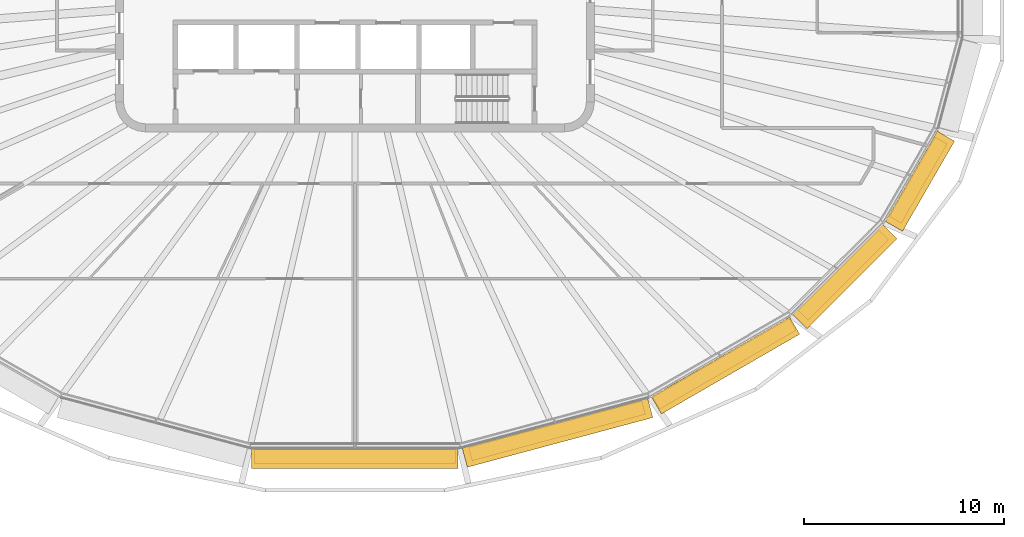
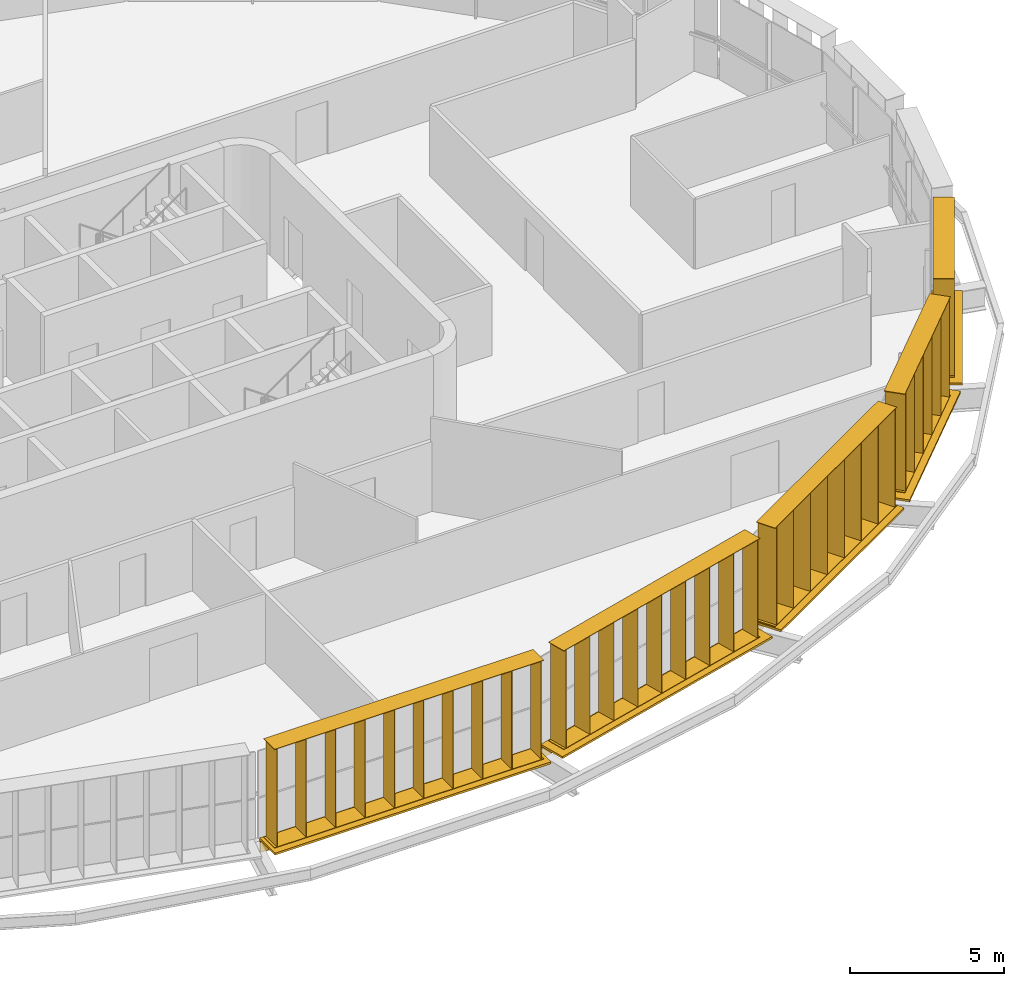
# One storey, part 17 of 19: 10 shading devices.
"""IFC4 building model written with IfcOpenShell, lengths in metres."""

import ifcopenshell
import ifcopenshell.guid

model = None  # the IFC model being written
_history = None  # IfcOwnerHistory: only IFC2X3 demands one
_inside = {}  # id of a spatial element -> (the spatial element, [elements in it])
_under = {}  # id of a project, library or spatial element -> (it, [spatial elements below it])
_declared = {}  # id of a project -> (the project, [libraries it declares])
_typed = {}  # id of a type object -> (the type object, [elements of that type])
_made_of = {}  # id of a material, layer set ... -> (it, [elements and type objects made of it])


def new_model(schema):
    """Start an empty IFC model of exactly this schema.

    Asked for "IFC4X3", IfcOpenShell would pick the latest addendum, in which some entities
    have other attributes; the version numbers below select the first issue.
    IFC2X3 requires an IfcOwnerHistory on every rooted entity: one is made here for all.
    """
    global model, _history
    if schema == "IFC4X3":
        model = ifcopenshell.file(schema_version=(4, 3, 0, 0))
    else:
        model = ifcopenshell.file(schema=schema)
    _inside.clear()
    _under.clear()
    _declared.clear()
    _typed.clear()
    _made_of.clear()
    _history = None
    if model.schema == "IFC2X3":
        org = make("IfcOrganization", Name="unknown")
        user = make(
            "IfcPersonAndOrganization",
            ThePerson=make("IfcPerson", FamilyName="unknown"),
            TheOrganization=org,
        )
        app = make(
            "IfcApplication",
            ApplicationDeveloper=org,
            Version="unknown",
            ApplicationFullName="unknown",
            ApplicationIdentifier="unknown",
        )
        _history = make(
            "IfcOwnerHistory",
            OwningUser=user,
            OwningApplication=app,
            ChangeAction="ADDED",
            CreationDate=0,
        )
    return model


def make(cls, **values):
    """One entity of the class cls with the attributes given. An attribute that is None is left unset."""
    return model.create_entity(
        cls, **{name: value for name, value in values.items() if value is not None}
    )


def rooted(cls, **values):
    """An entity with a GlobalId (a new one), such as an element, a storey or a relation."""
    return make(cls, GlobalId=ifcopenshell.guid.new(), OwnerHistory=_history, **values)


def si_unit(unit_type, name, prefix=None):
    """IfcSIUnit, for example si_unit("LENGTHUNIT", "METRE", prefix="MILLI")."""
    return make("IfcSIUnit", UnitType=unit_type, Prefix=prefix, Name=name)


def assignment(units):
    """IfcUnitAssignment: the units of a project."""
    return None if units is None else make("IfcUnitAssignment", Units=units)


def point(xyz):
    """IfcCartesianPoint."""
    return None if xyz is None else make("IfcCartesianPoint", Coordinates=xyz)


def direction(xyz):
    """IfcDirection."""
    return None if xyz is None else make("IfcDirection", DirectionRatios=xyz)


def frame(location, z_axis=None, x_axis=None):
    """IfcAxis2Placement3D, a coordinate frame: its origin and axes. An axis left out is left unset."""
    return make(
        "IfcAxis2Placement3D",
        Location=point(location),
        Axis=direction(z_axis),
        RefDirection=direction(x_axis),
    )


def frame_2d(location, x_axis=None):
    """IfcAxis2Placement2D, a coordinate frame in the plane: its origin and x axis."""
    return make(
        "IfcAxis2Placement2D", Location=point(location), RefDirection=direction(x_axis)
    )


def origin():
    """The frame at (0, 0, 0) with its axes left unset."""
    return frame((0.0, 0.0, 0.0))


def origin_2d():
    """The frame at (0, 0) in the plane with its x axis left unset."""
    return frame_2d((0.0, 0.0))


def place(relative_to, where):
    """IfcLocalPlacement: puts the frame where relative to a parent placement (None: the world)."""
    return make(
        "IfcLocalPlacement", PlacementRelTo=relative_to, RelativePlacement=where
    )


def context(
    kind, dimensions, precision=None, world=None, true_north=None, identifier=None
):
    """IfcGeometricRepresentationContext, for example the 3D "Model" context."""
    return make(
        "IfcGeometricRepresentationContext",
        ContextIdentifier=identifier,
        ContextType=kind,
        CoordinateSpaceDimension=dimensions,
        Precision=precision,
        WorldCoordinateSystem=world,
        TrueNorth=true_north,
    )


def subcontext(parent, identifier, kind, view, scale=None):
    """IfcGeometricRepresentationSubContext, for example "Body" below "Model"."""
    return make(
        "IfcGeometricRepresentationSubContext",
        ContextIdentifier=identifier,
        ContextType=kind,
        ParentContext=parent,
        TargetScale=scale,
        TargetView=view,
    )


def project(units=None, contexts=None):
    """IfcProject with its units and contexts."""
    return rooted(
        "IfcProject",
        Name="project",
        RepresentationContexts=contexts,
        UnitsInContext=assignment(units),
    )


def spatial(cls, under=None, at=None, **own):
    """A site, building, storey or space (cls), placed at a placement, below another one or the project."""
    s = rooted(cls, ObjectPlacement=at, **own)
    if under is not None:
        _under.setdefault(under.id(), (under, []))[1].append(s)
    return s


def profile(cls, at=None, kind="AREA", **sizes):
    """A parametric profile (cls). Its sizes go by their IFC names, for example OverallWidth=200.0."""
    return make(cls, ProfileType=kind, Position=at, **sizes)


def rectangle(**sizes):
    """IfcRectangleProfileDef."""
    return profile("IfcRectangleProfileDef", **sizes)


def extrude(swept, where, along, depth):
    """IfcExtrudedAreaSolid: the profile swept, set in the frame where, extruded along a direction by depth."""
    return make(
        "IfcExtrudedAreaSolid",
        SweptArea=swept,
        Position=where,
        ExtrudedDirection=direction(along),
        Depth=depth,
    )


def shape(context_of_items, identifier, shape_type, items):
    """IfcShapeRepresentation: the items that make up one representation, for example the "Body"."""
    return make(
        "IfcShapeRepresentation",
        ContextOfItems=context_of_items,
        RepresentationIdentifier=identifier,
        RepresentationType=shape_type,
        Items=items,
    )


def material(Name=None, Category=None):
    """IfcMaterial."""
    return make("IfcMaterial", Name=Name, Category=Category)


def made_of(thing, what):
    """Note that an element or type object is made of a material, layer set ...; save() writes the relation."""
    if what is not None:
        _made_of.setdefault(what.id(), (what, []))[1].append(thing)
    return thing


def type_object(cls, material=None, **own):
    """A type object (cls), such as IfcWallType, which elements share."""
    return made_of(rooted(cls, **own), material)


def element(
    cls,
    number,
    at=None,
    inside=None,
    cuts=None,
    type_object=None,
    material=None,
    context=None,
    identifier="Body",
    shape_type=None,
    held_by="IfcProductDefinitionShape",
    body=None,
    shapes=None,
    **own,
):
    """One element of the class cls, such as IfcWall. Its Tag is "e" and its number.

    at: its placement. inside: the storey or other place that contains it. cuts: it is an
    opening in that element (IfcRelVoidsElement). A single representation is given by context,
    identifier, shape_type and body (its items); several are given by shapes. held_by: the class
    of the entity that holds the representations. save() writes the other relations.
    """
    e = rooted(cls, Tag="e%d" % number, ObjectPlacement=at, **own)
    if body is not None:
        shapes = [shape(context, identifier, shape_type, body)]
    if shapes is not None:
        e.Representation = make(held_by, Representations=shapes)
    if inside is not None:
        _inside.setdefault(inside.id(), (inside, []))[1].append(e)
    if cuts is not None:
        rooted(
            "IfcRelVoidsElement", RelatingBuildingElement=cuts, RelatedOpeningElement=e
        )
    if type_object is not None:
        _typed.setdefault(type_object.id(), (type_object, []))[1].append(e)
    return made_of(e, material)


def aggregate(whole, parts):
    """IfcRelAggregates: a whole, such as a stair, and the parts it consists of."""
    return rooted("IfcRelAggregates", RelatingObject=whole, RelatedObjects=parts)


def save(model, path):
    """Write the relations noted so far, then the file.

    IfcRelAggregates (storeys below a building ...), IfcRelContainedInSpatialStructure (elements
    in a storey), IfcRelDefinesByType, IfcRelAssociatesMaterial and IfcRelDeclares: one each for
    every whole, place, type object, material and project.
    """
    for whole, parts in _under.values():
        aggregate(whole, parts)
    for where, things in _inside.values():
        rooted(
            "IfcRelContainedInSpatialStructure",
            RelatedElements=things,
            RelatingStructure=where,
        )
    for kind, things in _typed.values():
        rooted("IfcRelDefinesByType", RelatedObjects=things, RelatingType=kind)
    for what, things in _made_of.values():
        rooted("IfcRelAssociatesMaterial", RelatedObjects=things, RelatingMaterial=what)
    for by, libraries in _declared.values():
        rooted("IfcRelDeclares", RelatingContext=by, RelatedDefinitions=libraries)
    model.write(path)


model = new_model("IFC4")

# Units and contexts
model_context = context("Model", 3, precision=1e-05, world=origin(), true_north=direction((0.0, 1.0)))
body_context = subcontext(model_context, "Body", "Model", "MODEL_VIEW")
ifc_project = project(units=[si_unit("LENGTHUNIT", "METRE"), si_unit("AREAUNIT", "SQUARE_METRE"), si_unit("VOLUMEUNIT", "CUBIC_METRE"), si_unit("PLANEANGLEUNIT", "RADIAN"), si_unit("MASSUNIT", "GRAM", prefix="KILO")], contexts=[model_context])

# Site, building, storey
site_placement = place(None, origin())
site = spatial("IfcSite", under=ifc_project, at=site_placement, CompositionType="ELEMENT")
building_placement = place(site_placement, origin())
building = spatial("IfcBuilding", under=site, at=building_placement, Name="Sahrelin Media Tower", CompositionType="ELEMENT")
storey_placement = place(building_placement, frame((0.0, 0.0, 241.60009765625)))
storey = spatial("IfcBuildingStorey", under=building, at=storey_placement, Name="L52", CompositionType="ELEMENT", Elevation=241.60009765625)

# Shading devices
ifc_material = material(Name="Champagne anodised aluminium 6063-T6", Category="aluminium")
shading_device_type_1 = type_object("IfcShadingDeviceType", Name="Fin cassette", PredefinedType="USERDEFINED", material=ifc_material)
placement_1 = place(storey_placement, frame((0.0, -22.85009765625, 0.0), z_axis=(0.0, 0.0, 1.0), x_axis=(-1.0, 0.0, 0.0)))
element("IfcShadingDevice", 1, at=placement_1, inside=storey, type_object=shading_device_type_1, Name="L52:FIN:L52-18", ObjectType="FIN", PredefinedType="USERDEFINED", context=body_context, shape_type="SweptSolid", body=[
    extrude(rectangle(XDim=10.10009765625, YDim=0.699951171875, at=origin_2d()), frame((0.0, 0.419921875, 0.0)), (0.0, 0.0, 1.0), 0.02001953125),
    extrude(rectangle(XDim=10.10009765625, YDim=0.699951171875, at=origin_2d()), frame((0.0, 0.419921875, 3.89990234375)), (0.0, 0.0, 1.0), 0.02001953125),
    extrude(rectangle(XDim=0.02001953125, YDim=0.699951171875, at=origin_2d()), frame((-4.949951171875, 0.419921875, 0.010009765625), z_axis=(0.0, 0.0, 1.0), x_axis=(1.0, 0.0, 0.0)), (0.0, 0.0, 1.0), 3.89990234375),
    extrude(rectangle(XDim=0.02001953125, YDim=0.699951171875, at=origin_2d()), frame((-3.85009765625, 0.419921875, 0.010009765625), z_axis=(0.0, 0.0, 1.0), x_axis=(1.0, 0.0, 0.0)), (0.0, 0.0, 1.0), 3.89990234375),
    extrude(rectangle(XDim=0.02001953125, YDim=0.699951171875, at=origin_2d()), frame((-2.75, 0.419921875, 0.010009765625), z_axis=(0.0, 0.0, 1.0), x_axis=(1.0, 0.0, 0.0)), (0.0, 0.0, 1.0), 3.89990234375),
    extrude(rectangle(XDim=0.02001953125, YDim=0.699951171875, at=origin_2d()), frame((-1.64990234375, 0.419921875, 0.010009765625), z_axis=(0.0, 0.0, 1.0), x_axis=(1.0, 0.0, 0.0)), (0.0, 0.0, 1.0), 3.89990234375),
    extrude(rectangle(XDim=0.02001953125, YDim=0.699951171875, at=origin_2d()), frame((-0.550048828125, 0.419921875, 0.010009765625), z_axis=(0.0, 0.0, 1.0), x_axis=(1.0, 0.0, 0.0)), (0.0, 0.0, 1.0), 3.89990234375),
    extrude(rectangle(XDim=0.02001953125, YDim=0.699951171875, at=origin_2d()), frame((0.550048828125, 0.419921875, 0.010009765625), z_axis=(0.0, 0.0, 1.0), x_axis=(1.0, 0.0, 0.0)), (0.0, 0.0, 1.0), 3.89990234375),
    extrude(rectangle(XDim=0.02001953125, YDim=0.699951171875, at=origin_2d()), frame((1.64990234375, 0.419921875, 0.010009765625), z_axis=(0.0, 0.0, 1.0), x_axis=(1.0, 0.0, 0.0)), (0.0, 0.0, 1.0), 3.89990234375),
    extrude(rectangle(XDim=0.02001953125, YDim=0.699951171875, at=origin_2d()), frame((2.75, 0.419921875, 0.010009765625), z_axis=(0.0, 0.0, 1.0), x_axis=(1.0, 0.0, 0.0)), (0.0, 0.0, 1.0), 3.89990234375),
    extrude(rectangle(XDim=0.02001953125, YDim=0.699951171875, at=origin_2d()), frame((3.85009765625, 0.419921875, 0.010009765625), z_axis=(0.0, 0.0, 1.0), x_axis=(1.0, 0.0, 0.0)), (0.0, 0.0, 1.0), 3.89990234375),
    extrude(rectangle(XDim=0.02001953125, YDim=0.699951171875, at=origin_2d()), frame((4.949951171875, 0.419921875, 0.010009765625), z_axis=(0.0, 0.0, 1.0), x_axis=(1.0, 0.0, 0.0)), (0.0, 0.0, 1.0), 3.89990234375),
])
placement_2 = place(storey_placement, frame((10.017578125, -21.578857421875, 0.0), z_axis=(0.0, 0.0, 1.0), x_axis=(-0.965928857556, -0.258807731996, 0.0)))
element("IfcShadingDevice", 2, at=placement_2, inside=storey, type_object=shading_device_type_1, Name="L52:FIN:L52-19", ObjectType="FIN", PredefinedType="USERDEFINED", context=body_context, shape_type="SweptSolid", body=[
    extrude(rectangle(XDim=9.0, YDim=0.699951171875, at=origin_2d()), frame((0.0, 0.419921875, 0.0)), (0.0, 0.0, 1.0), 0.02001953125),
    extrude(rectangle(XDim=9.0, YDim=0.699951171875, at=origin_2d()), frame((0.0, 0.419921875, 3.89990234375)), (0.0, 0.0, 1.0), 0.02001953125),
    extrude(rectangle(XDim=0.02001953125, YDim=0.699951171875, at=origin_2d()), frame((-4.39990234375, 0.419921875, 0.010009765625), z_axis=(0.0, 0.0, 1.0), x_axis=(1.0, 0.0, 0.0)), (0.0, 0.0, 1.0), 3.89990234375),
    extrude(rectangle(XDim=0.02001953125, YDim=0.699951171875, at=origin_2d()), frame((-3.300048828125, 0.419921875, 0.010009765625), z_axis=(0.0, 0.0, 1.0), x_axis=(1.0, 0.0, 0.0)), (0.0, 0.0, 1.0), 3.89990234375),
    extrude(rectangle(XDim=0.02001953125, YDim=0.699951171875, at=origin_2d()), frame((-2.199951171875, 0.419921875, 0.010009765625), z_axis=(0.0, 0.0, 1.0), x_axis=(1.0, 0.0, 0.0)), (0.0, 0.0, 1.0), 3.89990234375),
    extrude(rectangle(XDim=0.02001953125, YDim=0.699951171875, at=origin_2d()), frame((-1.10009765625, 0.419921875, 0.010009765625), z_axis=(0.0, 0.0, 1.0), x_axis=(1.0, 0.0, 0.0)), (0.0, 0.0, 1.0), 3.89990234375),
    extrude(rectangle(XDim=0.02001953125, YDim=0.699951171875, at=origin_2d()), frame((0.0, 0.419921875, 0.010009765625), z_axis=(0.0, 0.0, 1.0), x_axis=(1.0, 0.0, 0.0)), (0.0, 0.0, 1.0), 3.89990234375),
    extrude(rectangle(XDim=0.02001953125, YDim=0.699951171875, at=origin_2d()), frame((1.10009765625, 0.419921875, 0.010009765625), z_axis=(0.0, 0.0, 1.0), x_axis=(1.0, 0.0, 0.0)), (0.0, 0.0, 1.0), 3.89990234375),
    extrude(rectangle(XDim=0.02001953125, YDim=0.699951171875, at=origin_2d()), frame((2.199951171875, 0.419921875, 0.010009765625), z_axis=(0.0, 0.0, 1.0), x_axis=(1.0, 0.0, 0.0)), (0.0, 0.0, 1.0), 3.89990234375),
    extrude(rectangle(XDim=0.02001953125, YDim=0.699951171875, at=origin_2d()), frame((3.300048828125, 0.419921875, 0.010009765625), z_axis=(0.0, 0.0, 1.0), x_axis=(1.0, 0.0, 0.0)), (0.0, 0.0, 1.0), 3.89990234375),
    extrude(rectangle(XDim=0.02001953125, YDim=0.699951171875, at=origin_2d()), frame((4.39990234375, 0.419921875, 0.010009765625), z_axis=(0.0, 0.0, 1.0), x_axis=(1.0, 0.0, 0.0)), (0.0, 0.0, 1.0), 3.89990234375),
])
placement_3 = place(storey_placement, frame((18.3115234375, -18.258056640625, 0.0), z_axis=(0.0, 0.0, 1.0), x_axis=(-0.866019052629, -0.500011000363, 0.0)))
element("IfcShadingDevice", 3, at=placement_3, inside=storey, type_object=shading_device_type_1, Name="L52:FIN:L52-20", ObjectType="FIN", PredefinedType="USERDEFINED", context=body_context, shape_type="SweptSolid", body=[
    extrude(rectangle(XDim=7.89990234375, YDim=0.699951171875, at=origin_2d()), frame((0.0, 0.419921875, 0.0)), (0.0, 0.0, 1.0), 0.02001953125),
    extrude(rectangle(XDim=7.89990234375, YDim=0.699951171875, at=origin_2d()), frame((0.0, 0.419921875, 3.89990234375)), (0.0, 0.0, 1.0), 0.02001953125),
    extrude(rectangle(XDim=0.02001953125, YDim=0.699951171875, at=origin_2d()), frame((-3.85009765625, 0.419921875, 0.010009765625), z_axis=(0.0, 0.0, 1.0), x_axis=(1.0, 0.0, 0.0)), (0.0, 0.0, 1.0), 3.89990234375),
    extrude(rectangle(XDim=0.02001953125, YDim=0.699951171875, at=origin_2d()), frame((-2.75, 0.419921875, 0.010009765625), z_axis=(0.0, 0.0, 1.0), x_axis=(1.0, 0.0, 0.0)), (0.0, 0.0, 1.0), 3.89990234375),
    extrude(rectangle(XDim=0.02001953125, YDim=0.699951171875, at=origin_2d()), frame((-1.64990234375, 0.419921875, 0.010009765625), z_axis=(0.0, 0.0, 1.0), x_axis=(1.0, 0.0, 0.0)), (0.0, 0.0, 1.0), 3.89990234375),
    extrude(rectangle(XDim=0.02001953125, YDim=0.699951171875, at=origin_2d()), frame((-0.550048828125, 0.419921875, 0.010009765625), z_axis=(0.0, 0.0, 1.0), x_axis=(1.0, 0.0, 0.0)), (0.0, 0.0, 1.0), 3.89990234375),
    extrude(rectangle(XDim=0.02001953125, YDim=0.699951171875, at=origin_2d()), frame((0.550048828125, 0.419921875, 0.010009765625), z_axis=(0.0, 0.0, 1.0), x_axis=(1.0, 0.0, 0.0)), (0.0, 0.0, 1.0), 3.89990234375),
    extrude(rectangle(XDim=0.02001953125, YDim=0.699951171875, at=origin_2d()), frame((1.64990234375, 0.419921875, 0.010009765625), z_axis=(0.0, 0.0, 1.0), x_axis=(1.0, 0.0, 0.0)), (0.0, 0.0, 1.0), 3.89990234375),
    extrude(rectangle(XDim=0.02001953125, YDim=0.699951171875, at=origin_2d()), frame((2.75, 0.419921875, 0.010009765625), z_axis=(0.0, 0.0, 1.0), x_axis=(1.0, 0.0, 0.0)), (0.0, 0.0, 1.0), 3.89990234375),
    extrude(rectangle(XDim=0.02001953125, YDim=0.699951171875, at=origin_2d()), frame((3.85009765625, 0.419921875, 0.010009765625), z_axis=(0.0, 0.0, 1.0), x_axis=(1.0, 0.0, 0.0)), (0.0, 0.0, 1.0), 3.89990234375),
])
placement_4 = place(storey_placement, frame((24.1865234375, -13.88330078125, 0.0), z_axis=(0.0, 0.0, 1.0), x_axis=(-0.707106781187, -0.707106781187, 0.0)))
element("IfcShadingDevice", 4, at=placement_4, inside=storey, type_object=shading_device_type_1, Name="L52:FIN:L52-21", ObjectType="FIN", PredefinedType="USERDEFINED", context=body_context, shape_type="SweptSolid", body=[
    extrude(rectangle(XDim=5.699951171875, YDim=0.699951171875, at=origin_2d()), frame((0.0, 0.419921875, 0.0)), (0.0, 0.0, 1.0), 0.02001953125),
    extrude(rectangle(XDim=5.699951171875, YDim=0.699951171875, at=origin_2d()), frame((0.0, 0.419921875, 3.89990234375)), (0.0, 0.0, 1.0), 0.02001953125),
    extrude(rectangle(XDim=0.02001953125, YDim=0.699951171875, at=origin_2d()), frame((-2.75, 0.419921875, 0.010009765625), z_axis=(0.0, 0.0, 1.0), x_axis=(1.0, 0.0, 0.0)), (0.0, 0.0, 1.0), 3.89990234375),
    extrude(rectangle(XDim=0.02001953125, YDim=0.699951171875, at=origin_2d()), frame((-1.64990234375, 0.419921875, 0.010009765625), z_axis=(0.0, 0.0, 1.0), x_axis=(1.0, 0.0, 0.0)), (0.0, 0.0, 1.0), 3.89990234375),
    extrude(rectangle(XDim=0.02001953125, YDim=0.699951171875, at=origin_2d()), frame((-0.550048828125, 0.419921875, 0.010009765625), z_axis=(0.0, 0.0, 1.0), x_axis=(1.0, 0.0, 0.0)), (0.0, 0.0, 1.0), 3.89990234375),
    extrude(rectangle(XDim=0.02001953125, YDim=0.699951171875, at=origin_2d()), frame((0.550048828125, 0.419921875, 0.010009765625), z_axis=(0.0, 0.0, 1.0), x_axis=(1.0, 0.0, 0.0)), (0.0, 0.0, 1.0), 3.89990234375),
    extrude(rectangle(XDim=0.02001953125, YDim=0.699951171875, at=origin_2d()), frame((1.64990234375, 0.419921875, 0.010009765625), z_axis=(0.0, 0.0, 1.0), x_axis=(1.0, 0.0, 0.0)), (0.0, 0.0, 1.0), 3.89990234375),
    extrude(rectangle(XDim=0.02001953125, YDim=0.699951171875, at=origin_2d()), frame((2.75, 0.419921875, 0.010009765625), z_axis=(0.0, 0.0, 1.0), x_axis=(1.0, 0.0, 0.0)), (0.0, 0.0, 1.0), 3.89990234375),
])
placement_5 = place(storey_placement, frame((27.865234375, -9.214111328125, 0.0), z_axis=(0.0, 0.0, 1.0), x_axis=(-0.500011000363, -0.866019052629, 0.0)))
element("IfcShadingDevice", 5, at=placement_5, inside=storey, type_object=shading_device_type_1, Name="L52:FIN:L52-22", ObjectType="FIN", PredefinedType="USERDEFINED", context=body_context, shape_type="SweptSolid", body=[
    extrude(rectangle(XDim=4.60009765625, YDim=0.699951171875, at=origin_2d()), frame((0.0, 0.419921875, 0.0)), (0.0, 0.0, 1.0), 0.02001953125),
    extrude(rectangle(XDim=4.60009765625, YDim=0.699951171875, at=origin_2d()), frame((0.0, 0.419921875, 3.89990234375)), (0.0, 0.0, 1.0), 0.02001953125),
    extrude(rectangle(XDim=0.02001953125, YDim=0.699951171875, at=origin_2d()), frame((-2.199951171875, 0.419921875, 0.010009765625), z_axis=(0.0, 0.0, 1.0), x_axis=(1.0, 0.0, 0.0)), (0.0, 0.0, 1.0), 3.89990234375),
    extrude(rectangle(XDim=0.02001953125, YDim=0.699951171875, at=origin_2d()), frame((-1.10009765625, 0.419921875, 0.010009765625), z_axis=(0.0, 0.0, 1.0), x_axis=(1.0, 0.0, 0.0)), (0.0, 0.0, 1.0), 3.89990234375),
    extrude(rectangle(XDim=0.02001953125, YDim=0.699951171875, at=origin_2d()), frame((0.0, 0.419921875, 0.010009765625), z_axis=(0.0, 0.0, 1.0), x_axis=(1.0, 0.0, 0.0)), (0.0, 0.0, 1.0), 3.89990234375),
    extrude(rectangle(XDim=0.02001953125, YDim=0.699951171875, at=origin_2d()), frame((1.10009765625, 0.419921875, 0.010009765625), z_axis=(0.0, 0.0, 1.0), x_axis=(1.0, 0.0, 0.0)), (0.0, 0.0, 1.0), 3.89990234375),
    extrude(rectangle(XDim=0.02001953125, YDim=0.699951171875, at=origin_2d()), frame((2.199951171875, 0.419921875, 0.010009765625), z_axis=(0.0, 0.0, 1.0), x_axis=(1.0, 0.0, 0.0)), (0.0, 0.0, 1.0), 3.89990234375),
])
shading_device_type_2 = type_object("IfcShadingDeviceType", Name="Sunshade band", PredefinedType="USERDEFINED", material=ifc_material)
element("IfcShadingDevice", 6, at=placement_1, inside=storey, type_object=shading_device_type_2, Name="L52:SUN:L52-18", ObjectType="SUNSHADE", PredefinedType="USERDEFINED", context=body_context, shape_type="SweptSolid", body=[
    extrude(rectangle(XDim=10.3466796875, YDim=0.050048828125, at=origin_2d()), frame((0.0, 0.044921875, -0.55126953125)), (0.0, 0.0, 1.0), 0.471435546875),
    extrude(rectangle(XDim=10.3466796875, YDim=1.0, at=origin_2d()), frame((0.0, 0.52001953125, -0.080078125)), (0.0, 0.0, 1.0), 0.080078125),
    extrude(rectangle(XDim=0.10009765625, YDim=0.074951171875, at=origin_2d()), frame((-5.0732421875, -0.017578125, -0.47021484375)), (0.0, 0.0, 1.0), 0.300048828125),
    extrude(rectangle(XDim=0.10009765625, YDim=0.074951171875, at=origin_2d()), frame((-3.382080078125, -0.017578125, -0.47021484375)), (0.0, 0.0, 1.0), 0.300048828125),
    extrude(rectangle(XDim=0.10009765625, YDim=0.074951171875, at=origin_2d()), frame((-1.691162109375, -0.017578125, -0.47021484375)), (0.0, 0.0, 1.0), 0.300048828125),
    extrude(rectangle(XDim=0.10009765625, YDim=0.074951171875, at=origin_2d()), frame((0.0, -0.017578125, -0.47021484375)), (0.0, 0.0, 1.0), 0.300048828125),
    extrude(rectangle(XDim=0.10009765625, YDim=0.074951171875, at=origin_2d()), frame((1.691162109375, -0.017578125, -0.47021484375)), (0.0, 0.0, 1.0), 0.300048828125),
    extrude(rectangle(XDim=0.10009765625, YDim=0.074951171875, at=origin_2d()), frame((3.382080078125, -0.017578125, -0.47021484375)), (0.0, 0.0, 1.0), 0.300048828125),
    extrude(rectangle(XDim=0.10009765625, YDim=0.074951171875, at=origin_2d()), frame((5.0732421875, -0.017578125, -0.47021484375)), (0.0, 0.0, 1.0), 0.300048828125),
])
element("IfcShadingDevice", 7, at=placement_2, inside=storey, type_object=shading_device_type_2, Name="L52:SUN:L52-19", ObjectType="SUNSHADE", PredefinedType="USERDEFINED", context=body_context, shape_type="SweptSolid", body=[
    extrude(rectangle(XDim=9.623291015625, YDim=0.050048828125, at=origin_2d()), frame((0.0, 0.044921875, -0.55126953125)), (0.0, 0.0, 1.0), 0.471435546875),
    extrude(rectangle(XDim=9.623291015625, YDim=1.0, at=origin_2d()), frame((0.0, 0.52001953125, -0.080078125)), (0.0, 0.0, 1.0), 0.080078125),
    extrude(rectangle(XDim=0.10009765625, YDim=0.074951171875, at=origin_2d()), frame((-4.711669921875, -0.017578125, -0.47021484375)), (0.0, 0.0, 1.0), 0.300048828125),
    extrude(rectangle(XDim=0.10009765625, YDim=0.074951171875, at=origin_2d()), frame((-2.826904296875, -0.017578125, -0.47021484375)), (0.0, 0.0, 1.0), 0.300048828125),
    extrude(rectangle(XDim=0.10009765625, YDim=0.074951171875, at=origin_2d()), frame((-0.9423828125, -0.017578125, -0.47021484375)), (0.0, 0.0, 1.0), 0.300048828125),
    extrude(rectangle(XDim=0.10009765625, YDim=0.074951171875, at=origin_2d()), frame((0.9423828125, -0.017578125, -0.47021484375)), (0.0, 0.0, 1.0), 0.300048828125),
    extrude(rectangle(XDim=0.10009765625, YDim=0.074951171875, at=origin_2d()), frame((2.826904296875, -0.017578125, -0.47021484375)), (0.0, 0.0, 1.0), 0.300048828125),
    extrude(rectangle(XDim=0.10009765625, YDim=0.074951171875, at=origin_2d()), frame((4.711669921875, -0.017578125, -0.47021484375)), (0.0, 0.0, 1.0), 0.300048828125),
])
element("IfcShadingDevice", 8, at=placement_3, inside=storey, type_object=shading_device_type_2, Name="L52:SUN:L52-20", ObjectType="SUNSHADE", PredefinedType="USERDEFINED", context=body_context, shape_type="SweptSolid", body=[
    extrude(rectangle(XDim=7.997314453125, YDim=0.050048828125, at=origin_2d()), frame((0.0, 0.044921875, -0.55126953125)), (0.0, 0.0, 1.0), 0.471435546875),
    extrude(rectangle(XDim=7.997314453125, YDim=1.0, at=origin_2d()), frame((0.0, 0.52001953125, -0.080078125)), (0.0, 0.0, 1.0), 0.080078125),
    extrude(rectangle(XDim=0.10009765625, YDim=0.074951171875, at=origin_2d()), frame((-3.898681640625, -0.017578125, -0.47021484375)), (0.0, 0.0, 1.0), 0.300048828125),
    extrude(rectangle(XDim=0.10009765625, YDim=0.074951171875, at=origin_2d()), frame((-1.949462890625, -0.017578125, -0.47021484375)), (0.0, 0.0, 1.0), 0.300048828125),
    extrude(rectangle(XDim=0.10009765625, YDim=0.074951171875, at=origin_2d()), frame((0.0, -0.017578125, -0.47021484375)), (0.0, 0.0, 1.0), 0.300048828125),
    extrude(rectangle(XDim=0.10009765625, YDim=0.074951171875, at=origin_2d()), frame((1.949462890625, -0.017578125, -0.47021484375)), (0.0, 0.0, 1.0), 0.300048828125),
    extrude(rectangle(XDim=0.10009765625, YDim=0.074951171875, at=origin_2d()), frame((3.898681640625, -0.017578125, -0.47021484375)), (0.0, 0.0, 1.0), 0.300048828125),
])
element("IfcShadingDevice", 9, at=placement_4, inside=storey, type_object=shading_device_type_2, Name="L52:SUN:L52-21", ObjectType="SUNSHADE", PredefinedType="USERDEFINED", context=body_context, shape_type="SweptSolid", body=[
    extrude(rectangle(XDim=6.377197265625, YDim=0.050048828125, at=origin_2d()), frame((0.0, 0.044921875, -0.55126953125)), (0.0, 0.0, 1.0), 0.471435546875),
    extrude(rectangle(XDim=6.377197265625, YDim=1.0, at=origin_2d()), frame((0.0, 0.52001953125, -0.080078125)), (0.0, 0.0, 1.0), 0.080078125),
    extrude(rectangle(XDim=0.10009765625, YDim=0.074951171875, at=origin_2d()), frame((-3.08837890625, -0.017578125, -0.47021484375)), (0.0, 0.0, 1.0), 0.300048828125),
    extrude(rectangle(XDim=0.10009765625, YDim=0.074951171875, at=origin_2d()), frame((-1.544189453125, -0.017578125, -0.47021484375)), (0.0, 0.0, 1.0), 0.300048828125),
    extrude(rectangle(XDim=0.10009765625, YDim=0.074951171875, at=origin_2d()), frame((0.0, -0.017578125, -0.47021484375)), (0.0, 0.0, 1.0), 0.300048828125),
    extrude(rectangle(XDim=0.10009765625, YDim=0.074951171875, at=origin_2d()), frame((1.544189453125, -0.017578125, -0.47021484375)), (0.0, 0.0, 1.0), 0.300048828125),
    extrude(rectangle(XDim=0.10009765625, YDim=0.074951171875, at=origin_2d()), frame((3.08837890625, -0.017578125, -0.47021484375)), (0.0, 0.0, 1.0), 0.300048828125),
])
element("IfcShadingDevice", 10, at=placement_5, inside=storey, type_object=shading_device_type_2, Name="L52:SUN:L52-22", ObjectType="SUNSHADE", PredefinedType="USERDEFINED", context=body_context, shape_type="SweptSolid", body=[
    extrude(rectangle(XDim=5.21337890625, YDim=0.050048828125, at=origin_2d()), frame((0.0, 0.044921875, -0.55126953125)), (0.0, 0.0, 1.0), 0.471435546875),
    extrude(rectangle(XDim=5.21337890625, YDim=1.0, at=origin_2d()), frame((0.0, 0.52001953125, -0.080078125)), (0.0, 0.0, 1.0), 0.080078125),
    extrude(rectangle(XDim=0.10009765625, YDim=0.074951171875, at=origin_2d()), frame((-2.5068359375, -0.017578125, -0.47021484375)), (0.0, 0.0, 1.0), 0.300048828125),
    extrude(rectangle(XDim=0.10009765625, YDim=0.074951171875, at=origin_2d()), frame((-0.835693359375, -0.017578125, -0.47021484375)), (0.0, 0.0, 1.0), 0.300048828125),
    extrude(rectangle(XDim=0.10009765625, YDim=0.074951171875, at=origin_2d()), frame((0.835693359375, -0.017578125, -0.47021484375)), (0.0, 0.0, 1.0), 0.300048828125),
    extrude(rectangle(XDim=0.10009765625, YDim=0.074951171875, at=origin_2d()), frame((2.5068359375, -0.017578125, -0.47021484375)), (0.0, 0.0, 1.0), 0.300048828125),
])

save(model, "model.ifc")
